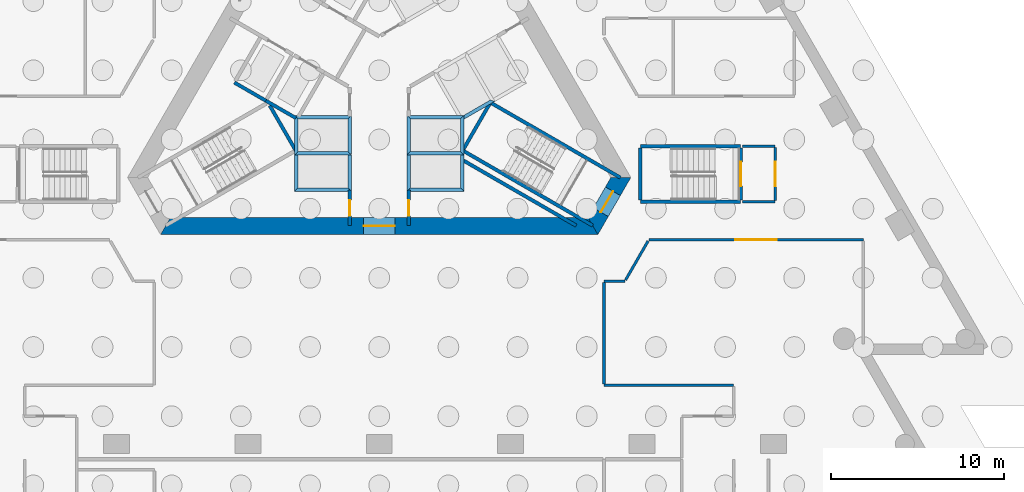
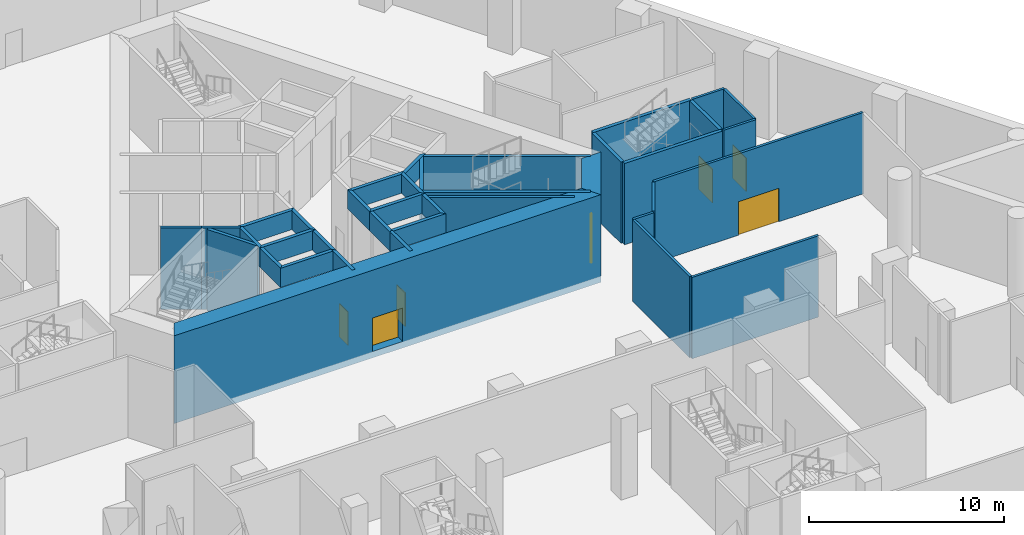
# One storey, part 7 of 20: 38 walls, 7 doors, 7 openings.
"""IFC4 building model written with IfcOpenShell, lengths in metres."""

from ifc_helpers import new_model, si_unit, direction, frame, frame_2d, origin, place, context, subcontext, project, spatial, polyline, rectangle, outline, extrude, material, layer, layer_set, type_object, element, fill, save


model = new_model("IFC4")

# Units and contexts
model_context = context("Model", 3, precision=1e-05, world=origin(), true_north=direction((0.0, 1.0)))
body_context = subcontext(model_context, "Body", "Model", "MODEL_VIEW")
ifc_project = project(units=[si_unit("LENGTHUNIT", "METRE"), si_unit("AREAUNIT", "SQUARE_METRE"), si_unit("VOLUMEUNIT", "CUBIC_METRE"), si_unit("PLANEANGLEUNIT", "RADIAN"), si_unit("MASSUNIT", "GRAM", prefix="KILO")], contexts=[model_context])

# Site, building, storey
site_placement = place(None, origin())
site = spatial("IfcSite", under=ifc_project, at=site_placement, CompositionType="ELEMENT")
building_placement = place(site_placement, origin())
building = spatial("IfcBuilding", under=site, at=building_placement, Name="Triada Interchange Tower", CompositionType="ELEMENT")
storey_placement = place(building_placement, frame((0.0, 0.0, -5.5)))
storey = spatial("IfcBuildingStorey", under=building, at=storey_placement, Name="B1", CompositionType="ELEMENT", Elevation=-5.5)

# Wall
ifc_material_1 = material(Name="Concrete C30/37", Category="concrete")
ifc_layer_1 = layer(ifc_material_1, 0.199951171875)
ifc_layer_set_1 = layer_set([ifc_layer_1], Name="CORE WALL 200 EI 120")
wall_type_1 = type_object("IfcWallType", Name="CORE WALL 200 EI 120", PredefinedType="SOLIDWALL", material=ifc_layer_set_1)
wall_1_placement = place(storey_placement, frame((-8.3759765625, -0.70703125, 0.0), z_axis=(0.0, 0.0, 1.0), x_axis=(0.866067520717, -0.499927044236, 0.0)))
element("IfcWall", 1, at=wall_1_placement, inside=storey, type_object=wall_type_1, Name="Wall B1 89", PredefinedType="SOLIDWALL", context=body_context, shape_type="SweptSolid", body=[
    extrude(rectangle(XDim=2.100341796875, YDim=0.199951171875, at=frame_2d((1.05029296875, 0.0))), origin(), (0.0, 0.0, 1.0), 5.10009765625),
])

# Wall, opening, door
wall_2_placement = place(storey_placement, frame((-1.699951171875, -8.97998046875, 0.0), z_axis=(0.0, 0.0, 1.0), x_axis=(0.0, 1.0, 0.0)))
wall_2 = element("IfcWall", 2, at=wall_2_placement, inside=storey, type_object=wall_type_1, Name="Wall B1 91", PredefinedType="SOLIDWALL", context=body_context, shape_type="SweptSolid", body=[
    extrude(rectangle(XDim=2.06201171875, YDim=0.199951171875, at=frame_2d((1.031005859375, 0.0))), origin(), (0.0, 0.0, 1.0), 5.10009765625),
])
opening_1_placement = place(wall_2_placement, frame((0.570068359375, 0.0, 0.0)))
opening_1 = element("IfcOpeningElement", 3, at=opening_1_placement, cuts=wall_2, Name="Opening D1-49", PredefinedType="OPENING", context=body_context, shape_type="SweptSolid", body=[
    extrude(rectangle(XDim=0.89990234375, YDim=2.10009765625, at=frame_2d((0.449951171875, 1.050048828125))), frame((0.0, 0.10986328125, 0.0), z_axis=(0.0, -1.0, 0.0), x_axis=(1.0, 0.0, 0.0)), (0.0, 0.0, 1.0), 0.219970703125),
])
ifc_material_2 = material(Name="Steel S235 door leaf", Category="steel")
door_type_1 = type_object("IfcDoorType", Name="SERVICE DOOR 900 EI2 45-C5S200", OperationType="NOTDEFINED", PredefinedType="DOOR", material=ifc_material_2)
door_1_placement = place(opening_1_placement, origin())
door_1 = element("IfcDoor", 4, at=door_1_placement, inside=storey, type_object=door_type_1, Name="Door D1-49 B1", OperationType="SINGLE_SWING_RIGHT", OverallHeight=2.10009765625, OverallWidth=0.89990234375, PredefinedType="DOOR", context=body_context, shape_type="SweptSolid", body=[
    extrude(rectangle(XDim=0.89990234375, YDim=2.10009765625, at=frame_2d((0.449951171875, 1.050048828125))), frame((0.0, 0.02490234375, 0.0), z_axis=(0.0, -1.0, 0.0), x_axis=(1.0, 0.0, 0.0)), (0.0, 0.0, 1.0), 0.050048828125),
])
fill(opening_1, door_1)

wall_3_placement = place(storey_placement, frame((1.699951171875, -8.97998046875, 0.0), z_axis=(0.0, 0.0, 1.0), x_axis=(0.0, 1.0, 0.0)))
wall_3 = element("IfcWall", 5, at=wall_3_placement, inside=storey, type_object=wall_type_1, Name="Wall B1 97", PredefinedType="SOLIDWALL", context=body_context, shape_type="SweptSolid", body=[
    extrude(rectangle(XDim=2.06201171875, YDim=0.199951171875, at=frame_2d((1.031005859375, 0.0))), origin(), (0.0, 0.0, 1.0), 5.10009765625),
])
opening_2_placement = place(wall_3_placement, frame((0.570068359375, 0.0, 0.0)))
opening_2 = element("IfcOpeningElement", 6, at=opening_2_placement, cuts=wall_3, Name="Opening D1-55", PredefinedType="OPENING", context=body_context, shape_type="SweptSolid", body=[
    extrude(rectangle(XDim=0.89990234375, YDim=2.10009765625, at=frame_2d((0.449951171875, 1.050048828125))), frame((0.0, 0.10986328125, 0.0), z_axis=(0.0, -1.0, 0.0), x_axis=(1.0, 0.0, 0.0)), (0.0, 0.0, 1.0), 0.219970703125),
])
door_2_placement = place(opening_2_placement, origin())
door_2 = element("IfcDoor", 7, at=door_2_placement, inside=storey, type_object=door_type_1, Name="Door D1-55 B1", OperationType="SINGLE_SWING_LEFT", OverallHeight=2.10009765625, OverallWidth=0.89990234375, PredefinedType="DOOR", context=body_context, shape_type="SweptSolid", body=[
    extrude(rectangle(XDim=0.89990234375, YDim=2.10009765625, at=frame_2d((0.449951171875, 1.050048828125))), frame((0.0, 0.02490234375, 0.0), z_axis=(0.0, -1.0, 0.0), x_axis=(1.0, 0.0, 0.0)), (0.0, 0.0, 1.0), 0.050048828125),
])
fill(opening_2, door_2)

# Walls
wall_4_placement = place(storey_placement, frame((4.800048828125, -2.699951171875, 3.89990234375), z_axis=(0.0, 0.0, 1.0), x_axis=(-1.0, 0.0, 0.0)))
element("IfcWall", 8, at=wall_4_placement, inside=storey, type_object=wall_type_1, Name="Pit wall LR1 1", PredefinedType="SOLIDWALL", context=body_context, shape_type="SweptSolid", body=[
    extrude(outline(polyline([(-0.10009765625, -0.10009765625), (0.10009765625, 0.10009765625), (1.550048828125, 0.10009765625), (3.0, 0.10009765625), (3.199951171875, -0.10009765625), (1.5498046875, -0.10009765625), (-0.10009765625, -0.10009765625)])), origin(), (0.0, 0.0, 1.0), 1.2001953125),
])
wall_5_placement = place(storey_placement, frame((1.699951171875, -2.699951171875, 3.89990234375), z_axis=(0.0, 0.0, 1.0), x_axis=(0.0, -1.0, 0.0)))
element("IfcWall", 9, at=wall_5_placement, inside=storey, type_object=wall_type_1, Name="Pit wall LR1 2", PredefinedType="SOLIDWALL", context=body_context, shape_type="SweptSolid", body=[
    extrude(outline(polyline([(2.0, 0.10009765625), (2.199951171875, -0.10009765625), (1.05029296875, -0.10009765625), (-0.09912109375, -0.10009765625), (0.10009765625, 0.10009765625), (0.10009765625, 0.10009765625), (0.10009765625, 0.10009765625), (0.10009765625, 0.10009765625), (0.10009765625, 0.10009765625), (0.10009765625, 0.10009765625), (0.10009765625, 0.10009765625), (0.10009765625, 0.10009765625), (0.10107421875, 0.10009765625), (2.0, 0.10009765625)])), origin(), (0.0, 0.0, 1.0), 1.2001953125),
])
wall_6_placement = place(storey_placement, frame((1.699951171875, -4.800048828125, 3.89990234375), z_axis=(0.0, 0.0, 1.0), x_axis=(1.0, 0.0, 0.0)))
element("IfcWall", 10, at=wall_6_placement, inside=storey, type_object=wall_type_1, Name="Pit wall LR1 3", PredefinedType="SOLIDWALL", context=body_context, shape_type="SweptSolid", body=[
    extrude(outline(polyline([(3.0, 0.10009765625), (3.199951171875, -0.10009765625), (1.55029296875, -0.10009765625), (-0.09912109375, -0.10009765625), (0.10009765625, 0.10009765625), (0.10009765625, 0.10009765625), (0.10009765625, 0.10009765625), (0.10009765625, 0.10009765625), (0.10009765625, 0.10009765625), (0.10009765625, 0.10009765625), (0.10009765625, 0.10009765625), (0.10009765625, 0.10009765625), (0.10107421875, 0.10009765625), (1.550537109375, 0.10009765625), (3.0, 0.10009765625)])), origin(), (0.0, 0.0, 1.0), 1.2001953125),
])
wall_7_placement = place(storey_placement, frame((4.800048828125, -4.800048828125, 3.89990234375), z_axis=(0.0, 0.0, 1.0), x_axis=(0.0, 1.0, 0.0)))
element("IfcWall", 11, at=wall_7_placement, inside=storey, type_object=wall_type_1, Name="Pit wall LR1 4", PredefinedType="SOLIDWALL", context=body_context, shape_type="SweptSolid", body=[
    extrude(outline(polyline([(1.9990234375, 0.10009765625), (2.0, 0.10009765625), (2.0, 0.10009765625), (2.0, 0.10009765625), (2.0, 0.10009765625), (2.0, 0.10009765625), (2.0, 0.10009765625), (2.0, 0.10009765625), (2.0, 0.10009765625), (2.198974609375, -0.10009765625), (1.0498046875, -0.10009765625), (-0.09912109375, -0.10009765625), (0.10009765625, 0.10009765625), (0.10009765625, 0.10009765625), (0.10009765625, 0.10009765625), (0.10009765625, 0.10009765625), (0.10009765625, 0.10009765625), (0.10009765625, 0.10009765625), (0.10009765625, 0.10009765625), (0.10009765625, 0.10009765625), (0.10009765625, 0.10009765625), (1.9990234375, 0.10009765625)])), origin(), (0.0, 0.0, 1.0), 1.2001953125),
])
wall_8_placement = place(storey_placement, frame((1.699951171875, -4.800048828125, 3.89990234375), z_axis=(0.0, 0.0, 1.0), x_axis=(0.0, -1.0, 0.0)))
element("IfcWall", 12, at=wall_8_placement, inside=storey, type_object=wall_type_1, Name="Pit wall LR2 2", PredefinedType="SOLIDWALL", context=body_context, shape_type="SweptSolid", body=[
    extrude(outline(polyline([(2.0, 0.10009765625), (2.199951171875, -0.10009765625), (1.14990234375, -0.10009765625), (0.10009765625, -0.10009765625), (0.10009765625, -0.10009765625), (0.10009765625, 0.10009765625), (2.0, 0.10009765625)])), origin(), (0.0, 0.0, 1.0), 1.2001953125),
])
wall_9_placement = place(storey_placement, frame((1.699951171875, -6.89990234375, 3.89990234375), z_axis=(0.0, 0.0, 1.0), x_axis=(1.0, 0.0, 0.0)))
element("IfcWall", 13, at=wall_9_placement, inside=storey, type_object=wall_type_1, Name="Pit wall LR2 3", PredefinedType="SOLIDWALL", context=body_context, shape_type="SweptSolid", body=[
    extrude(outline(polyline([(3.0, 0.10009765625), (3.199951171875, -0.10009765625), (1.55029296875, -0.10009765625), (-0.09912109375, -0.10009765625), (0.10009765625, 0.10009765625), (0.10009765625, 0.10009765625), (0.10009765625, 0.10009765625), (0.10009765625, 0.10009765625), (0.10009765625, 0.10009765625), (0.10009765625, 0.10009765625), (0.10009765625, 0.10009765625), (0.10009765625, 0.10009765625), (0.10107421875, 0.10009765625), (1.550537109375, 0.10009765625), (3.0, 0.10009765625)])), origin(), (0.0, 0.0, 1.0), 1.2001953125),
])
wall_10_placement = place(storey_placement, frame((4.800048828125, -6.89990234375, 3.89990234375), z_axis=(0.0, 0.0, 1.0), x_axis=(0.0, 1.0, 0.0)))
element("IfcWall", 14, at=wall_10_placement, inside=storey, type_object=wall_type_1, Name="Pit wall LR2 4", PredefinedType="SOLIDWALL", context=body_context, shape_type="SweptSolid", body=[
    extrude(outline(polyline([(2.0, 0.10009765625), (2.0, -0.10009765625), (0.950439453125, -0.10009765625), (-0.09912109375, -0.10009765625), (0.10009765625, 0.10009765625), (0.10009765625, 0.10009765625), (0.10009765625, 0.10009765625), (0.10009765625, 0.10009765625), (0.10009765625, 0.10009765625), (0.10009765625, 0.10009765625), (0.10009765625, 0.10009765625), (0.10009765625, 0.10009765625), (0.10009765625, 0.10009765625), (2.0, 0.10009765625)])), origin(), (0.0, 0.0, 1.0), 1.2001953125),
])
wall_11_placement = place(storey_placement, frame((-4.800048828125, -2.699951171875, 3.89990234375), z_axis=(0.0, 0.0, 1.0), x_axis=(0.0, -1.0, 0.0)))
element("IfcWall", 15, at=wall_11_placement, inside=storey, type_object=wall_type_1, Name="Pit wall LR3 1", PredefinedType="SOLIDWALL", context=body_context, shape_type="SweptSolid", body=[
    extrude(outline(polyline([(0.10009765625, 0.10009765625), (2.0, 0.10009765625), (2.199951171875, -0.10009765625), (1.0498046875, -0.10009765625), (-0.10009765625, -0.10009765625), (0.10009765625, 0.10009765625)])), origin(), (0.0, 0.0, 1.0), 1.2001953125),
])
wall_12_placement = place(storey_placement, frame((-4.800048828125, -4.800048828125, 3.89990234375), z_axis=(0.0, 0.0, 1.0), x_axis=(1.0, 0.0, 0.0)))
element("IfcWall", 16, at=wall_12_placement, inside=storey, type_object=wall_type_1, Name="Pit wall LR3 2", PredefinedType="SOLIDWALL", context=body_context, shape_type="SweptSolid", body=[
    extrude(outline(polyline([(3.0, 0.10009765625), (3.199951171875, -0.10009765625), (1.55029296875, -0.10009765625), (-0.09912109375, -0.10009765625), (0.10009765625, 0.10009765625), (0.10009765625, 0.10009765625), (0.10009765625, 0.10009765625), (0.10009765625, 0.10009765625), (0.10009765625, 0.10009765625), (0.10009765625, 0.10009765625), (0.10009765625, 0.10009765625), (0.10009765625, 0.10009765625), (0.10009765625, 0.10009765625), (1.550048828125, 0.10009765625), (3.0, 0.10009765625)])), origin(), (0.0, 0.0, 1.0), 1.2001953125),
])
wall_13_placement = place(storey_placement, frame((-1.699951171875, -4.800048828125, 3.89990234375), z_axis=(0.0, 0.0, 1.0), x_axis=(0.0, 1.0, 0.0)))
element("IfcWall", 17, at=wall_13_placement, inside=storey, type_object=wall_type_1, Name="Pit wall LR3 3", PredefinedType="SOLIDWALL", context=body_context, shape_type="SweptSolid", body=[
    extrude(outline(polyline([(2.0, 0.10009765625), (2.199951171875, -0.10009765625), (1.05029296875, -0.10009765625), (-0.09912109375, -0.10009765625), (0.10009765625, 0.10009765625), (0.10009765625, 0.10009765625), (0.10009765625, 0.10009765625), (0.10009765625, 0.10009765625), (0.10009765625, 0.10009765625), (0.10009765625, 0.10009765625), (0.10009765625, 0.10009765625), (0.10009765625, 0.10009765625), (0.10009765625, 0.10009765625), (2.0, 0.10009765625)])), origin(), (0.0, 0.0, 1.0), 1.2001953125),
])
wall_14_placement = place(storey_placement, frame((-1.699951171875, -2.699951171875, 3.89990234375), z_axis=(0.0, 0.0, 1.0), x_axis=(-1.0, 0.0, 0.0)))
element("IfcWall", 18, at=wall_14_placement, inside=storey, type_object=wall_type_1, Name="Pit wall LR3 4", PredefinedType="SOLIDWALL", context=body_context, shape_type="SweptSolid", body=[
    extrude(outline(polyline([(3.0, 0.10009765625), (3.0, 0.10009765625), (3.0, 0.10009765625), (3.0, 0.10009765625), (3.0, 0.10009765625), (3.0, 0.10009765625), (3.0, 0.10009765625), (3.0, 0.10009765625), (3.0, 0.10009765625), (3.198974609375, -0.10009765625), (1.5498046875, -0.10009765625), (-0.09912109375, -0.10009765625), (0.10009765625, 0.10009765625), (0.10009765625, 0.10009765625), (0.10009765625, 0.10009765625), (0.10009765625, 0.10009765625), (0.10009765625, 0.10009765625), (0.10009765625, 0.10009765625), (0.10009765625, 0.10009765625), (0.10009765625, 0.10009765625), (0.10107421875, 0.10009765625), (1.550537109375, 0.10009765625), (3.0, 0.10009765625)])), origin(), (0.0, 0.0, 1.0), 1.2001953125),
])
wall_15_placement = place(storey_placement, frame((-4.800048828125, -4.800048828125, 3.89990234375), z_axis=(0.0, 0.0, 1.0), x_axis=(0.0, -1.0, 0.0)))
element("IfcWall", 19, at=wall_15_placement, inside=storey, type_object=wall_type_1, Name="Pit wall LR4 2", PredefinedType="SOLIDWALL", context=body_context, shape_type="SweptSolid", body=[
    extrude(outline(polyline([(2.0, 0.10009765625), (2.199951171875, -0.10009765625), (1.14990234375, -0.10009765625), (0.10009765625, -0.10009765625), (0.10009765625, 0.10009765625), (2.0, 0.10009765625)])), origin(), (0.0, 0.0, 1.0), 1.2001953125),
])
wall_16_placement = place(storey_placement, frame((-4.800048828125, -6.89990234375, 3.89990234375), z_axis=(0.0, 0.0, 1.0), x_axis=(1.0, 0.0, 0.0)))
element("IfcWall", 20, at=wall_16_placement, inside=storey, type_object=wall_type_1, Name="Pit wall LR4 3", PredefinedType="SOLIDWALL", context=body_context, shape_type="SweptSolid", body=[
    extrude(outline(polyline([(3.0, 0.10009765625), (3.199951171875, -0.10009765625), (1.55029296875, -0.10009765625), (-0.09912109375, -0.10009765625), (0.10009765625, 0.10009765625), (0.10009765625, 0.10009765625), (0.10009765625, 0.10009765625), (0.10009765625, 0.10009765625), (0.10009765625, 0.10009765625), (0.10009765625, 0.10009765625), (0.10009765625, 0.10009765625), (0.10009765625, 0.10009765625), (0.10009765625, 0.10009765625), (1.550048828125, 0.10009765625), (3.0, 0.10009765625)])), origin(), (0.0, 0.0, 1.0), 1.2001953125),
])
wall_17_placement = place(storey_placement, frame((-1.699951171875, -6.89990234375, 3.89990234375), z_axis=(0.0, 0.0, 1.0), x_axis=(0.0, 1.0, 0.0)))
element("IfcWall", 21, at=wall_17_placement, inside=storey, type_object=wall_type_1, Name="Pit wall LR4 4", PredefinedType="SOLIDWALL", context=body_context, shape_type="SweptSolid", body=[
    extrude(outline(polyline([(2.0, 0.10009765625), (2.0, -0.10009765625), (0.950439453125, -0.10009765625), (-0.09912109375, -0.10009765625), (0.10009765625, 0.10009765625), (0.10009765625, 0.10009765625), (0.10009765625, 0.10009765625), (0.10009765625, 0.10009765625), (0.10009765625, 0.10009765625), (0.10009765625, 0.10009765625), (0.10009765625, 0.10009765625), (0.10009765625, 0.10009765625), (0.10009765625, 0.10009765625), (2.0, 0.10009765625)])), origin(), (0.0, 0.0, 1.0), 1.2001953125),
])
wall_18_placement = place(storey_placement, frame((4.738037109375, -2.806884765625, 3.89990234375), z_axis=(0.0, 0.0, 1.0), x_axis=(0.866088799389, 0.499890179513, 0.0)))
element("IfcWall", 22, at=wall_18_placement, inside=storey, type_object=wall_type_1, Name="Pit wall SH1 3", PredefinedType="SOLIDWALL", context=body_context, shape_type="SweptSolid", body=[
    extrude(outline(polyline([(2.0, 0.10009765625), (2.199951171875, -0.10009765625), (1.1650390625, -0.10009765625), (0.1298828125, -0.10009765625), (0.243896484375, 0.097900390625), (0.243896484375, 0.097900390625), (0.243896484375, 0.097900390625), (0.243896484375, 0.097900390625), (0.243896484375, 0.097900390625), (0.243896484375, 0.097900390625), (0.243896484375, 0.097900390625), (0.243896484375, 0.097900390625), (0.243896484375, 0.097900390625), (0.243896484375, 0.097900390625), (0.243896484375, 0.09912109375), (0.243896484375, 0.09912109375), (0.243896484375, 0.09912109375), (0.243896484375, 0.09912109375), (0.243896484375, 0.09912109375), (0.243896484375, 0.09912109375), (0.243896484375, 0.09912109375), (0.241943359375, 0.10009765625), (2.0, 0.10009765625)])), origin(), (0.0, 0.0, 1.0), 1.2001953125),
])
ifc_layer_2 = layer(ifc_material_1, 0.199951171875)
ifc_layer_set_2 = layer_set([ifc_layer_2], Name="CORE WALL 200 EI 180")
wall_type_2 = type_object("IfcWallType", Name="CORE WALL 200 EI 180", PredefinedType="SOLIDWALL", material=ifc_layer_set_2)
wall_19_placement = place(storey_placement, frame((-6.556884765625, -1.757080078125, 0.0), z_axis=(0.0, 0.0, 1.0), x_axis=(0.866019539041, -0.500010157896, 0.0)))
element("IfcWall", 23, at=wall_19_placement, inside=storey, type_object=wall_type_2, Name="Shaft wall FF1 B1 108", PredefinedType="SOLIDWALL", context=body_context, shape_type="SweptSolid", body=[
    extrude(rectangle(XDim=2.0078125, YDim=0.199951171875, at=frame_2d((1.00390625, 0.0))), origin(), (0.0, 0.0, 1.0), 5.10009765625),
])
ifc_layer_3 = layer(ifc_material_1, 0.199951171875)
ifc_layer_set_3 = layer_set([ifc_layer_3], Name="CORE WALL 200 EI 90")
wall_type_3 = type_object("IfcWallType", Name="CORE WALL 200 EI 90", PredefinedType="SOLIDWALL", material=ifc_layer_set_3)
wall_20_placement = place(storey_placement, frame((4.820068359375, -5.18798828125, 0.0), z_axis=(0.0, 0.0, 1.0), x_axis=(0.86599149085, -0.500058734325, 0.0)))
element("IfcWall", 24, at=wall_20_placement, inside=storey, type_object=wall_type_3, Name="Wall B1 116", PredefinedType="SOLIDWALL", context=body_context, shape_type="SweptSolid", body=[
    extrude(rectangle(XDim=7.5830078125, YDim=0.199951171875, at=frame_2d((3.79150390625, 0.0))), origin(), (0.0, 0.0, 1.0), 5.10009765625),
])
ifc_layer_4 = layer(ifc_material_1, 0.199951171875)
ifc_layer_set_4 = layer_set([ifc_layer_4], Name="CORE WALL 200 REI 240")
wall_type_4 = type_object("IfcWallType", Name="CORE WALL 200 REI 240", PredefinedType="SOLIDWALL", material=ifc_layer_set_4)
wall_21_placement = place(storey_placement, frame((-6.3291015625, -2.0380859375, 0.0), z_axis=(0.0, 0.0, 1.0), x_axis=(0.50002537861, -0.866010750942, 0.0)))
element("IfcWall", 25, at=wall_21_placement, inside=storey, type_object=wall_type_4, Name="Wall B1 118", PredefinedType="SOLIDWALL", context=body_context, shape_type="SweptSolid", body=[
    extrude(rectangle(XDim=2.999755859375, YDim=0.199951171875, at=frame_2d((1.5, 0.0))), origin(), (0.0, 0.0, 1.0), 5.10009765625),
])
wall_22_placement = place(storey_placement, frame((4.8291015625, -4.635986328125, 0.0), z_axis=(0.0, 0.0, 1.0), x_axis=(0.866013680014, -0.500020305616, 0.0)))
element("IfcWall", 26, at=wall_22_placement, inside=storey, type_object=wall_type_4, Name="Wall B1 123", PredefinedType="SOLIDWALL", context=body_context, shape_type="SweptSolid", body=[
    extrude(rectangle(XDim=8.679931640625, YDim=0.199951171875, at=frame_2d((4.33984375, 0.0))), origin(), (0.0, 0.0, 1.0), 5.10009765625),
])
wall_23_placement = place(storey_placement, frame((4.87890625, -4.549072265625, 0.0), z_axis=(0.0, 0.0, 1.0), x_axis=(0.499958760481, 0.866049212123, 0.0)))
element("IfcWall", 27, at=wall_23_placement, inside=storey, type_object=wall_type_4, Name="Wall B1 124", PredefinedType="SOLIDWALL", context=body_context, shape_type="SweptSolid", body=[
    extrude(rectangle(XDim=3.100341796875, YDim=0.199951171875, at=frame_2d((1.55029296875, 0.0))), origin(), (0.0, 0.0, 1.0), 5.10009765625),
])
wall_24_placement = place(storey_placement, frame((6.51611328125, -1.9140625, 0.0), z_axis=(0.0, 0.0, 1.0), x_axis=(0.866006929508, -0.50003199702, 0.0)))
element("IfcWall", 28, at=wall_24_placement, inside=storey, type_object=wall_type_4, Name="Wall B1 125", PredefinedType="SOLIDWALL", context=body_context, shape_type="SweptSolid", body=[
    extrude(rectangle(XDim=8.57958984375, YDim=0.199951171875, at=frame_2d((4.289794921875, 0.0))), origin(), (0.0, 0.0, 1.0), 5.10009765625),
])
for number, where, z_axis, x_axis, name in (
    (29, (15.10009765625, -4.39990234375, 0.0), (0.0, 0.0, 1.0), (1.0, 0.0, 0.0), "Wall B1 134"),
    (30, (15.10009765625, -7.60009765625, 0.0), (0.0, 0.0, 1.0), (1.0, 0.0, 0.0), "Wall B1 137"),
):
    element("IfcWall", number, at=place(storey_placement, frame(where, z_axis=z_axis, x_axis=x_axis)), inside=storey, type_object=wall_type_4, Name=name, PredefinedType="SOLIDWALL", context=body_context, shape_type="SweptSolid", body=[
        extrude(rectangle(XDim=5.7998046875, YDim=0.199951171875, at=frame_2d((2.89990234375, 0.0))), origin(), (0.0, 0.0, 1.0), 5.10009765625),
    ])

# Wall, opening, door
wall_25_placement = place(storey_placement, frame((20.89990234375, -7.5, 0.0), z_axis=(0.0, 0.0, 1.0), x_axis=(0.0, 1.0, 0.0)))
wall_25 = element("IfcWall", 31, at=wall_25_placement, inside=storey, type_object=wall_type_4, Name="Wall B1 154", PredefinedType="SOLIDWALL", context=body_context, shape_type="SweptSolid", body=[
    extrude(rectangle(XDim=3.0, YDim=0.199951171875, at=frame_2d((1.5, 0.0))), origin(), (0.0, 0.0, 1.0), 5.10009765625),
])
opening_3_placement = place(wall_25_placement, frame((0.800048828125, 0.0, 0.0)))
opening_3 = element("IfcOpeningElement", 32, at=opening_3_placement, cuts=wall_25, Name="Opening D1-15", PredefinedType="OPENING", context=body_context, shape_type="SweptSolid", body=[
    extrude(rectangle(XDim=1.39990234375, YDim=2.10009765625, at=frame_2d((0.699951171875, 1.050048828125))), frame((0.0, 0.10986328125, 0.0), z_axis=(0.0, -1.0, 0.0), x_axis=(1.0, 0.0, 0.0)), (0.0, 0.0, 1.0), 0.219970703125),
])
door_type_2 = type_object("IfcDoorType", Name="STAIR DOOR 1400 EI2 90-C5S200", OperationType="DOUBLE_DOOR_SINGLE_SWING", PredefinedType="DOOR", material=ifc_material_2)
door_3_placement = place(opening_3_placement, origin())
door_3 = element("IfcDoor", 33, at=door_3_placement, inside=storey, type_object=door_type_2, Name="Door D1-15 B1", OperationType="DOUBLE_DOOR_SINGLE_SWING", OverallHeight=2.10009765625, OverallWidth=1.39990234375, PredefinedType="DOOR", context=body_context, shape_type="SweptSolid", body=[
    extrude(rectangle(XDim=1.39990234375, YDim=2.10009765625, at=frame_2d((0.699951171875, 1.050048828125))), frame((0.0, 0.02490234375, 0.0), z_axis=(0.0, -1.0, 0.0), x_axis=(1.0, 0.0, 0.0)), (0.0, 0.0, 1.0), 0.050048828125),
])
fill(opening_3, door_3)

# Wall
wall_26_placement = place(storey_placement, frame((15.10009765625, -7.5, 0.0), z_axis=(0.0, 0.0, 1.0), x_axis=(0.0, 1.0, 0.0)))
element("IfcWall", 34, at=wall_26_placement, inside=storey, type_object=wall_type_4, Name="Wall B1 155", PredefinedType="SOLIDWALL", context=body_context, shape_type="SweptSolid", body=[
    extrude(rectangle(XDim=3.0, YDim=0.199951171875, at=frame_2d((1.5, 0.0))), origin(), (0.0, 0.0, 1.0), 5.10009765625),
])

# Wall, opening, door
ifc_material_3 = material(Name="Concrete C70/85", Category="concrete")
ifc_layer_5 = layer(ifc_material_3, 1.0)
ifc_layer_set_5 = layer_set([ifc_layer_5], Name="Core wall P 1000")
wall_type_5 = type_object("IfcWallType", Name="Core wall P 1000", PredefinedType="SHEAR", material=ifc_layer_set_5)
wall_27_placement = place(storey_placement, frame((-12.35498046875, -9.0, -0.39990234375), z_axis=(0.0, 0.0, 1.0), x_axis=(1.0, 0.0, 0.0)))
wall_27 = element("IfcWall", 35, at=wall_27_placement, inside=storey, type_object=wall_type_5, Name="Core wall WP04 B1", PredefinedType="SHEAR", context=body_context, shape_type="SweptSolid", body=[
    extrude(outline(polyline([(-0.2890625, -0.5), (1.65625, -0.5), (3.601318359375, -0.5), (5.546630859375, -0.5), (7.491943359375, -0.5), (9.43701171875, -0.5), (11.38232421875, -0.5), (13.32763671875, -0.5), (15.27294921875, -0.5), (17.218017578125, -0.5), (19.163330078125, -0.5), (21.108642578125, -0.5), (23.0537109375, -0.5), (24.9990234375, -0.5), (24.422119140625, 0.5), (22.565673828125, 0.5), (20.709228515625, 0.5), (18.852783203125, 0.5), (16.996337890625, 0.5), (15.139892578125, 0.5), (13.283447265625, 0.5), (11.4267578125, 0.5), (9.5703125, 0.5), (7.7138671875, 0.5), (5.857421875, 0.5), (4.0009765625, 0.5), (2.14453125, 0.5), (0.2880859375, 0.5), (-0.2890625, -0.5)])), origin(), (0.0, 0.0, 1.0), 5.5),
])
opening_4_placement = place(wall_27_placement, frame((11.455078125, 0.0, 0.39990234375)))
opening_4 = element("IfcOpeningElement", 36, at=opening_4_placement, cuts=wall_27, Name="Opening D1-44", PredefinedType="OPENING", context=body_context, shape_type="SweptSolid", body=[
    extrude(rectangle(XDim=1.800048828125, YDim=2.10009765625, at=frame_2d((0.89990234375, 1.050048828125))), frame((0.0, 0.510009765625, 0.0), z_axis=(0.0, -1.0, 0.0), x_axis=(1.0, 0.0, 0.0)), (0.0, 0.0, 1.0), 1.02001953125),
])
door_type_3 = type_object("IfcDoorType", Name="LOBBY DOOR 1800 EI2 90-C5S200", OperationType="DOUBLE_DOOR_SINGLE_SWING", PredefinedType="DOOR", material=ifc_material_2)
door_4_placement = place(opening_4_placement, origin())
door_4 = element("IfcDoor", 37, at=door_4_placement, inside=storey, type_object=door_type_3, Name="Door D1-44 B1", OperationType="DOUBLE_DOOR_SINGLE_SWING", OverallHeight=2.10009765625, OverallWidth=1.800048828125, PredefinedType="DOOR", context=body_context, shape_type="SweptSolid", body=[
    extrude(rectangle(XDim=1.800048828125, YDim=2.10009765625, at=frame_2d((0.89990234375, 1.050048828125))), frame((0.0, 0.02490234375, 0.0), z_axis=(0.0, -1.0, 0.0), x_axis=(1.0, 0.0, 0.0)), (0.0, 0.0, 1.0), 0.050048828125),
])
fill(opening_4, door_4)

wall_28_placement = place(storey_placement, frame((12.35498046875, -9.0, -0.39990234375), z_axis=(0.0, 0.0, 1.0), x_axis=(0.500077567175, 0.865980615723, 0.0)))
wall_28 = element("IfcWall", 38, at=wall_28_placement, inside=storey, type_object=wall_type_5, Name="Core wall WP05 B1", PredefinedType="SHEAR", context=body_context, shape_type="SweptSolid", body=[
    extrude(outline(polyline([(-0.2880859375, -0.5), (1.616943359375, -0.5), (3.52197265625, -0.5), (2.945068359375, 0.5), (1.6171875, 0.49951171875), (0.2890625, 0.4990234375), (-0.2880859375, -0.5)])), origin(), (0.0, 0.0, 1.0), 5.5),
])
opening_5_placement = place(wall_28_placement, frame((0.9169921875, 0.0, 0.39990234375)))
opening_5 = element("IfcOpeningElement", 39, at=opening_5_placement, cuts=wall_28, Name="Opening D1-47", PredefinedType="OPENING", context=body_context, shape_type="SweptSolid", body=[
    extrude(rectangle(XDim=1.39990234375, YDim=2.10009765625, at=frame_2d((0.699951171875, 1.050048828125))), frame((0.0, 0.510009765625, 0.0), z_axis=(0.0, -1.0, 0.0), x_axis=(1.0, 0.0, 0.0)), (0.0, 0.0, 1.0), 1.02001953125),
])
door_5_placement = place(opening_5_placement, origin())
door_5 = element("IfcDoor", 40, at=door_5_placement, inside=storey, type_object=door_type_2, Name="Door D1-47 B1", OperationType="DOUBLE_DOOR_SINGLE_SWING", OverallHeight=2.10009765625, OverallWidth=1.39990234375, PredefinedType="DOOR", context=body_context, shape_type="SweptSolid", body=[
    extrude(rectangle(XDim=1.39990234375, YDim=2.10009765625, at=frame_2d((0.699951171875, 1.050048828125))), frame((0.0, 0.02490234375, 0.0), z_axis=(0.0, -1.0, 0.0), x_axis=(1.0, 0.0, 0.0)), (0.0, 0.0, 1.0), 0.050048828125),
])
fill(opening_5, door_5)

# Walls
ifc_material_4 = material(Name="Gypsum board partition")
ifc_layer_6 = layer(ifc_material_4, 0.14990234375)
ifc_layer_set_6 = layer_set([ifc_layer_6], Name="PARTITION 150 EI 180")
wall_type_6 = type_object("IfcWallType", Name="PARTITION 150 EI 180", PredefinedType="PARTITIONING", material=ifc_layer_set_6)
for number, where, z_axis, x_axis, name in (
    (41, (21.0, -7.60009765625, 0.0), (0.0, 0.0, 1.0), (1.0, 0.0, 0.0), "Wall B1 8"),
    (42, (21.0, -4.39990234375, 0.0), (0.0, 0.0, 1.0), (1.0, 0.0, 0.0), "Wall B1 11"),
):
    element("IfcWall", number, at=place(storey_placement, frame(where, z_axis=z_axis, x_axis=x_axis)), inside=storey, type_object=wall_type_6, Name=name, PredefinedType="PARTITIONING", context=body_context, shape_type="SweptSolid", body=[
        extrude(rectangle(XDim=1.89990234375, YDim=0.14990234375, at=frame_2d((0.949951171875, 0.0))), origin(), (0.0, 0.0, 1.0), 5.10009765625),
    ])

# Wall, opening, door
wall_29_placement = place(storey_placement, frame((22.89990234375, -7.52490234375, 0.0), z_axis=(0.0, 0.0, 1.0), x_axis=(0.0, 1.0, 0.0)))
wall_29 = element("IfcWall", 43, at=wall_29_placement, inside=storey, type_object=wall_type_6, Name="Wall B1 33", PredefinedType="PARTITIONING", context=body_context, shape_type="SweptSolid", body=[
    extrude(rectangle(XDim=3.0498046875, YDim=0.14990234375, at=frame_2d((1.52490234375, 0.0))), origin(), (0.0, 0.0, 1.0), 5.10009765625),
])
opening_6_placement = place(wall_29_placement, frame((0.824951171875, 0.0, 0.0)))
opening_6 = element("IfcOpeningElement", 44, at=opening_6_placement, cuts=wall_29, Name="Opening D1-16", PredefinedType="OPENING", context=body_context, shape_type="SweptSolid", body=[
    extrude(rectangle(XDim=1.39990234375, YDim=2.10009765625, at=frame_2d((0.699951171875, 1.050048828125))), frame((0.0, 0.0849609375, 0.0), z_axis=(0.0, -1.0, 0.0), x_axis=(1.0, 0.0, 0.0)), (0.0, 0.0, 1.0), 0.169921875),
])
door_6_placement = place(opening_6_placement, origin())
door_6 = element("IfcDoor", 45, at=door_6_placement, inside=storey, type_object=door_type_2, Name="Door D1-16 B1", OperationType="DOUBLE_DOOR_SINGLE_SWING", OverallHeight=2.10009765625, OverallWidth=1.39990234375, PredefinedType="DOOR", context=body_context, shape_type="SweptSolid", body=[
    extrude(rectangle(XDim=1.39990234375, YDim=2.10009765625, at=frame_2d((0.699951171875, 1.050048828125))), frame((0.0, 0.02490234375, 0.0), z_axis=(0.0, -1.0, 0.0), x_axis=(1.0, 0.0, 0.0)), (0.0, 0.0, 1.0), 0.050048828125),
])
fill(opening_6, door_6)

ifc_layer_7 = layer(ifc_material_4, 0.14990234375)
ifc_layer_set_7 = layer_set([ifc_layer_7], Name="PARTITION 150 EI 90")
wall_type_7 = type_object("IfcWallType", Name="PARTITION 150 EI 90", PredefinedType="PARTITIONING", material=ifc_layer_set_7)
wall_30_placement = place(storey_placement, frame((15.587890625, -9.800048828125, 0.0), z_axis=(0.0, 0.0, 1.0), x_axis=(1.0, 0.0, 0.0)))
wall_30 = element("IfcWall", 46, at=wall_30_placement, inside=storey, type_object=wall_type_7, Name="Wall B1 58", PredefinedType="PARTITIONING", context=body_context, shape_type="SweptSolid", body=[
    extrude(rectangle(XDim=12.412109375, YDim=0.14990234375, at=frame_2d((6.2060546875, 0.0))), origin(), (0.0, 0.0, 1.0), 5.10009765625),
])
opening_7_placement = place(wall_30_placement, frame((5.006103515625, 0.0, 0.0)))
opening_7 = element("IfcOpeningElement", 47, at=opening_7_placement, cuts=wall_30, Name="Opening D1-37", PredefinedType="OPENING", context=body_context, shape_type="SweptSolid", body=[
    extrude(rectangle(XDim=2.39990234375, YDim=2.10009765625, at=frame_2d((1.199951171875, 1.050048828125))), frame((0.0, 0.0849609375, 0.0), z_axis=(0.0, -1.0, 0.0), x_axis=(1.0, 0.0, 0.0)), (0.0, 0.0, 1.0), 0.169921875),
])
door_type_4 = type_object("IfcDoorType", Name="SHOP AND HALL ENTRANCE DOOR 2400 EI2 45-C5S200", OperationType="DOUBLE_DOOR_SINGLE_SWING", PredefinedType="DOOR", material=ifc_material_2)
door_7_placement = place(opening_7_placement, origin())
door_7 = element("IfcDoor", 48, at=door_7_placement, inside=storey, type_object=door_type_4, Name="Door D1-37 B1", OperationType="DOUBLE_DOOR_SINGLE_SWING", OverallHeight=2.10009765625, OverallWidth=2.39990234375, PredefinedType="DOOR", context=body_context, shape_type="SweptSolid", body=[
    extrude(rectangle(XDim=2.39990234375, YDim=2.10009765625, at=frame_2d((1.199951171875, 1.050048828125))), frame((0.0, 0.02490234375, 0.0), z_axis=(0.0, -1.0, 0.0), x_axis=(1.0, 0.0, 0.0)), (0.0, 0.0, 1.0), 0.050048828125),
])
fill(opening_7, door_7)

# Walls
wall_31_placement = place(storey_placement, frame((13.0, -12.199951171875, 0.0), z_axis=(0.0, 0.0, 1.0), x_axis=(1.0, 0.0, 0.0)))
element("IfcWall", 49, at=wall_31_placement, inside=storey, type_object=wall_type_7, Name="Wall B1 61", PredefinedType="PARTITIONING", context=body_context, shape_type="SweptSolid", body=[
    extrude(rectangle(XDim=1.202880859375, YDim=0.14990234375, at=frame_2d((0.6015625, 0.0))), origin(), (0.0, 0.0, 1.0), 5.10009765625),
])
wall_32_placement = place(storey_placement, frame((13.0, -18.199951171875, 0.0), z_axis=(0.0, 0.0, 1.0), x_axis=(1.0, 0.0, 0.0)))
element("IfcWall", 50, at=wall_32_placement, inside=storey, type_object=wall_type_7, Name="Wall B1 66", PredefinedType="PARTITIONING", context=body_context, shape_type="SweptSolid", body=[
    extrude(rectangle(XDim=7.5, YDim=0.14990234375, at=frame_2d((3.75, 0.0))), origin(), (0.0, 0.0, 1.0), 5.10009765625),
])
wall_33_placement = place(storey_placement, frame((13.0, -18.125, 0.0), z_axis=(0.0, 0.0, 1.0), x_axis=(0.0, 1.0, 0.0)))
element("IfcWall", 51, at=wall_33_placement, inside=storey, type_object=wall_type_7, Name="Wall B1 83", PredefinedType="PARTITIONING", context=body_context, shape_type="SweptSolid", body=[
    extrude(rectangle(XDim=5.85009765625, YDim=0.14990234375, at=frame_2d((2.925048828125, 0.0))), origin(), (0.0, 0.0, 1.0), 5.10009765625),
])
wall_34_placement = place(storey_placement, frame((14.24609375, -12.125, 0.0), z_axis=(0.0, 0.0, 1.0), x_axis=(0.499939380126, 0.866060399857, 0.0)))
element("IfcWall", 52, at=wall_34_placement, inside=storey, type_object=wall_type_7, Name="Wall B1 87", PredefinedType="PARTITIONING", context=body_context, shape_type="SweptSolid", body=[
    extrude(rectangle(XDim=2.597900390625, YDim=0.14990234375, at=frame_2d((1.298828125, 0.0))), origin(), (0.0, 0.0, 1.0), 5.10009765625),
])

save(model, "model.ifc")
